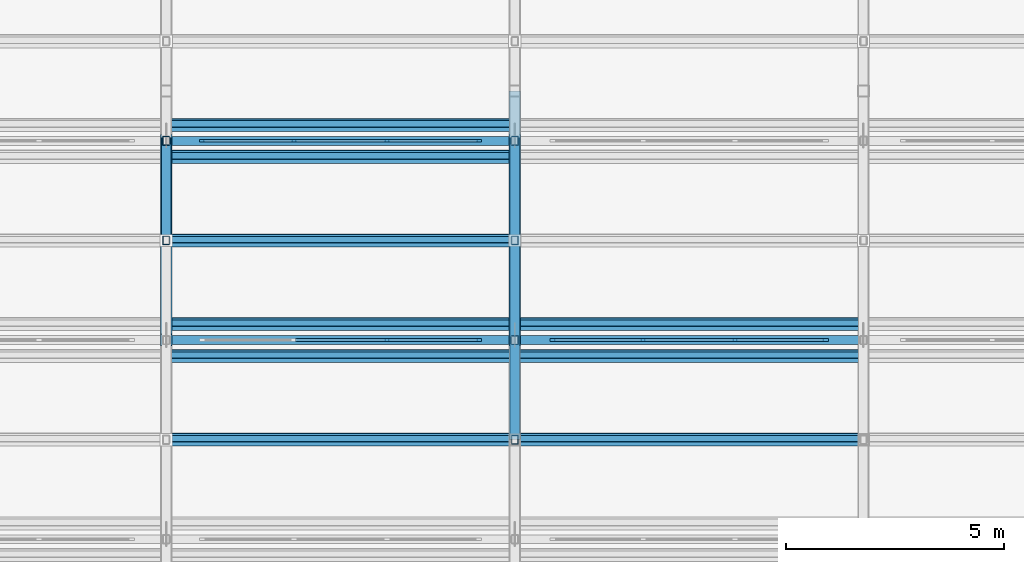
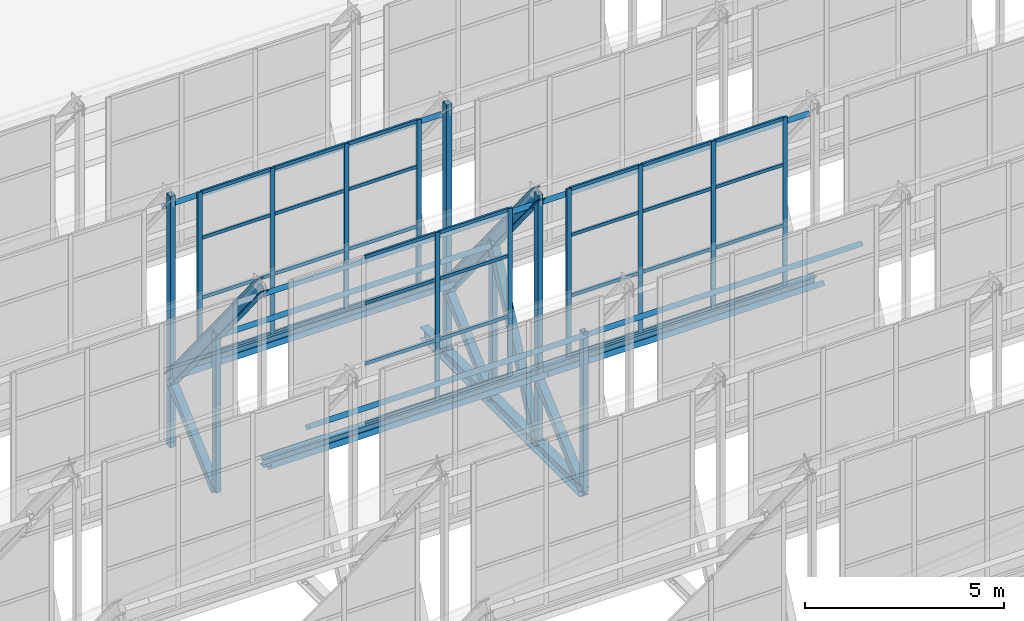
# One storey, part 16 of 34: 63 members, 4 beams, 3 elements without a shape of their own.
"""IFC4 building model written with IfcOpenShell, lengths in metres."""

from ifc_helpers import new_model, si_unit, direction, frame, origin, origin_2d, place, context, subcontext, project, spatial, rectangle, hollow_rectangle, i_section, extrude, material, layer, layer_set, material_profile, profile_set, type_object, element, aggregate, save


model = new_model("IFC4")

# Units and contexts
model_context = context("Model", 3, precision=1e-05, world=origin(), true_north=direction((0.0, 1.0)))
body_context = subcontext(model_context, "Body", "Model", "MODEL_VIEW")
ifc_project = project(units=[si_unit("LENGTHUNIT", "METRE"), si_unit("AREAUNIT", "SQUARE_METRE"), si_unit("VOLUMEUNIT", "CUBIC_METRE"), si_unit("PLANEANGLEUNIT", "RADIAN"), si_unit("MASSUNIT", "GRAM", prefix="KILO")], contexts=[model_context])

# Site, building, storey
site_placement = place(None, origin())
site = spatial("IfcSite", under=ifc_project, at=site_placement, CompositionType="ELEMENT")
building_placement = place(site_placement, origin())
building = spatial("IfcBuilding", under=site, at=building_placement, Name="Qorikala Patio Media Centre", CompositionType="ELEMENT")
storey_placement = place(building_placement, frame((0.0, 0.0, 32.699951171875)))
storey = spatial("IfcBuildingStorey", under=building, at=storey_placement, Name="RF", CompositionType="ELEMENT", Elevation=32.699951171875)

# Members
ifc_material_1 = material(Name="Steel S355", Category="steel")
ifc_material_profile_1 = material_profile(ifc_material_1, hollow_rectangle(XDim=0.219970703125, YDim=0.219970703125, WallThickness=0.010009765625, at=origin_2d()), Name="HSS220X220X10")
ifc_profile_set_1 = profile_set([ifc_material_profile_1], Name="Steel S355")
member_type_1 = type_object("IfcMemberType", Name="BRACE-HSS220", PredefinedType="BRACE", material=ifc_profile_set_1)
member_1_placement = place(storey_placement, frame((19.0, 23.5712890625, 0.35009765625), z_axis=(0.0, 0.744467225167, 0.667659007767), x_axis=(-1.0, 0.0, 0.0)))
element("IfcMember", 1, at=member_1_placement, inside=storey, type_object=member_type_1, Name="SAW-V1 Truss 3 Bay 5 Web Diagonal 2", PredefinedType="BRACE", context=body_context, shape_type="SweptSolid", body=[
    extrude(hollow_rectangle(XDim=0.219970703125, YDim=0.219970703125, WallThickness=0.010009765625, at=origin_2d()), origin(), (0.0, 0.0, 1.0), 3.070556640625),
])
member_2_placement = place(storey_placement, frame((27.0, 19.0, 0.35009765625), z_axis=(0.0, 0.744431778243, 0.667698530432), x_axis=(-1.0, 0.0, 0.0)))
element("IfcMember", 2, at=member_2_placement, inside=storey, type_object=member_type_1, Name="SAW-V1 Truss 4 Bay 4 Web Diagonal 2", PredefinedType="BRACE", context=body_context, shape_type="SweptSolid", body=[
    extrude(hollow_rectangle(XDim=0.219970703125, YDim=0.219970703125, WallThickness=0.010009765625, at=origin_2d()), origin(), (0.0, 0.0, 1.0), 3.0703125),
])
member_3_placement = place(storey_placement, frame((27.0, 21.28564453125, 0.35009765625), z_axis=(0.0, 0.424508225487, 0.905424081022), x_axis=(-1.0, 0.0, 0.0)))
element("IfcMember", 3, at=member_3_placement, inside=storey, type_object=member_type_1, Name="SAW-V1 Truss 4 Bay 5 Web Diagonal 1", PredefinedType="BRACE", context=body_context, shape_type="SweptSolid", body=[
    extrude(hollow_rectangle(XDim=0.219970703125, YDim=0.219970703125, WallThickness=0.010009765625, at=origin_2d()), origin(), (0.0, 0.0, 1.0), 5.38427734375),
])
member_4_placement = place(storey_placement, frame((27.0, 23.5712890625, 0.35009765625), z_axis=(0.0, 0.744467225167, 0.667659007767), x_axis=(-1.0, 0.0, 0.0)))
element("IfcMember", 4, at=member_4_placement, inside=storey, type_object=member_type_1, Name="SAW-V1 Truss 4 Bay 5 Web Diagonal 2", PredefinedType="BRACE", context=body_context, shape_type="SweptSolid", body=[
    extrude(hollow_rectangle(XDim=0.219970703125, YDim=0.219970703125, WallThickness=0.010009765625, at=origin_2d()), origin(), (0.0, 0.0, 1.0), 3.070556640625),
])
ifc_material_profile_2 = material_profile(ifc_material_1, i_section(OverallWidth=0.257080078125, OverallDepth=0.363037109375, WebThickness=0.012939453125, FlangeThickness=0.021728515625, at=origin_2d()), Name="W360X122")
ifc_profile_set_2 = profile_set([ifc_material_profile_2], Name="Steel S355")
member_type_2 = type_object("IfcMemberType", Name="CHORD-W360X122", PredefinedType="CHORD", material=ifc_profile_set_2)
for number, where, z_axis, x_axis, name in (
    (5, (19.0, 21.28564453125, 8.050048828125), (0.0, 0.629015570493, -0.777392701327), (-1.0, 0.0, 0.0), "SAW-V1 Truss 3 Bay 5 Sloped Top Chord"),
    (6, (27.0, 21.28564453125, 8.050048828125), (0.0, 0.629015570493, -0.777392701327), (-1.0, 0.0, 0.0), "SAW-V1 Truss 4 Bay 5 Sloped Top Chord"),
):
    element("IfcMember", number, at=place(storey_placement, frame(where, z_axis=z_axis, x_axis=x_axis)), inside=storey, type_object=member_type_2, Name=name, PredefinedType="CHORD", context=body_context, shape_type="SweptSolid", body=[
        extrude(i_section(OverallWidth=0.257080078125, OverallDepth=0.363037109375, WebThickness=0.012939453125, FlangeThickness=0.021728515625, at=origin_2d()), origin(), (0.0, 0.0, 1.0), 7.267822265625),
    ])

# Curtain wall, members
ifc_material_2 = material(Name="Bronze Anodised Aluminium and Low-E Glass", Category="aluminium")
ifc_layer_1 = layer(ifc_material_2, 0.159912109375)
ifc_layer_set_1 = layer_set([ifc_layer_1], Name="Bronze Anodised Aluminium and Low-E Glass")
curtain_wall_type_1 = type_object("IfcCurtainWallType", Name="CW-SAW-640X514", PredefinedType="USERDEFINED", material=ifc_layer_set_1)
curtain_wall_1_placement = place(storey_placement, origin())
curtain_wall_1 = element("IfcCurtainWall", 7, at=curtain_wall_1_placement, inside=storey, type_object=curtain_wall_type_1, Name="RF Sawtooth Glazing 129", ObjectType="SAWTOOTH GLAZING", PredefinedType="USERDEFINED")
ifc_material_3 = material(Name="Bronze Anodised Aluminium", Category="aluminium")
ifc_material_profile_3 = material_profile(ifc_material_3, rectangle(XDim=0.06005859375, YDim=0.1298828125, at=origin_2d()), Name="ALU MULLION 60x130")
ifc_profile_set_3 = profile_set([ifc_material_profile_3], Name="Bronze Anodised Aluminium")
member_type_3 = type_object("IfcMemberType", Name="CWM-60X130", PredefinedType="MULLION", material=ifc_profile_set_3)
member_5_placement = place(storey_placement, frame((24.066650390625, 21.28564453125, 2.75), z_axis=(0.0, 0.0, 1.0), x_axis=(0.0, 1.0, 0.0)))
member_5 = element("IfcMember", 8, at=member_5_placement, type_object=member_type_3, Name="CWS640514 mullion 3", PredefinedType="MULLION", context=body_context, shape_type="SweptSolid", body=[
    extrude(rectangle(XDim=0.06005859375, YDim=0.1298828125, at=origin_2d()), origin(), (0.0, 0.0, 1.0), 5.14013671875),
])
member_6_placement = place(storey_placement, frame((26.169921875, 21.28564453125, 2.75), z_axis=(0.0, 0.0, 1.0), x_axis=(0.0, 1.0, 0.0)))
member_6 = element("IfcMember", 9, at=member_6_placement, type_object=member_type_3, Name="CWS640514 mullion 4", PredefinedType="MULLION", context=body_context, shape_type="SweptSolid", body=[
    extrude(rectangle(XDim=0.06005859375, YDim=0.1298828125, at=origin_2d()), origin(), (0.0, 0.0, 1.0), 5.14013671875),
])

ifc_layer_2 = layer(ifc_material_2, 0.159912109375)
ifc_layer_set_2 = layer_set([ifc_layer_2], Name="Bronze Anodised Aluminium and Low-E Glass")
curtain_wall_type_2 = type_object("IfcCurtainWallType", Name="CW-SAW-632X514", PredefinedType="USERDEFINED", material=ifc_layer_set_2)
curtain_wall_2_placement = place(storey_placement, origin())
curtain_wall_2 = element("IfcCurtainWall", 10, at=curtain_wall_2_placement, inside=storey, type_object=curtain_wall_type_2, Name="RF Sawtooth Glazing 130", ObjectType="SAWTOOTH GLAZING", PredefinedType="USERDEFINED")
member_7_placement = place(storey_placement, frame((27.8701171875, 21.28564453125, 2.75), z_axis=(0.0, 0.0, 1.0), x_axis=(0.0, 1.0, 0.0)))
member_7 = element("IfcMember", 11, at=member_7_placement, type_object=member_type_3, Name="CWS632514 mullion 1", PredefinedType="MULLION", context=body_context, shape_type="SweptSolid", body=[
    extrude(rectangle(XDim=0.06005859375, YDim=0.1298828125, at=origin_2d()), origin(), (0.0, 0.0, 1.0), 5.14013671875),
])
member_8_placement = place(storey_placement, frame((29.94677734375, 21.28564453125, 2.75), z_axis=(0.0, 0.0, 1.0), x_axis=(0.0, 1.0, 0.0)))
member_8 = element("IfcMember", 12, at=member_8_placement, type_object=member_type_3, Name="CWS632514 mullion 2", PredefinedType="MULLION", context=body_context, shape_type="SweptSolid", body=[
    extrude(rectangle(XDim=0.06005859375, YDim=0.1298828125, at=origin_2d()), origin(), (0.0, 0.0, 1.0), 5.14013671875),
])
member_9_placement = place(storey_placement, frame((32.05322265625, 21.28564453125, 2.75), z_axis=(0.0, 0.0, 1.0), x_axis=(0.0, 1.0, 0.0)))
member_9 = element("IfcMember", 13, at=member_9_placement, type_object=member_type_3, Name="CWS632514 mullion 3", PredefinedType="MULLION", context=body_context, shape_type="SweptSolid", body=[
    extrude(rectangle(XDim=0.06005859375, YDim=0.1298828125, at=origin_2d()), origin(), (0.0, 0.0, 1.0), 5.14013671875),
])
member_10_placement = place(storey_placement, frame((34.1298828125, 21.28564453125, 2.75), z_axis=(0.0, 0.0, 1.0), x_axis=(0.0, 1.0, 0.0)))
member_10 = element("IfcMember", 14, at=member_10_placement, type_object=member_type_3, Name="CWS632514 mullion 4", PredefinedType="MULLION", context=body_context, shape_type="SweptSolid", body=[
    extrude(rectangle(XDim=0.06005859375, YDim=0.1298828125, at=origin_2d()), origin(), (0.0, 0.0, 1.0), 5.14013671875),
])

ifc_layer_3 = layer(ifc_material_2, 0.159912109375)
ifc_layer_set_3 = layer_set([ifc_layer_3], Name="Bronze Anodised Aluminium and Low-E Glass")
curtain_wall_type_3 = type_object("IfcCurtainWallType", Name="CW-SAW-640X508", PredefinedType="USERDEFINED", material=ifc_layer_set_3)
curtain_wall_3_placement = place(storey_placement, origin())
curtain_wall_3 = element("IfcCurtainWall", 15, at=curtain_wall_3_placement, inside=storey, type_object=curtain_wall_type_3, Name="RF Sawtooth Glazing 134", ObjectType="SAWTOOTH GLAZING", PredefinedType="USERDEFINED")
member_11_placement = place(storey_placement, frame((19.830078125, 25.857177734375, 2.75), z_axis=(0.0, 0.0, 1.0), x_axis=(0.0, 1.0, 0.0)))
member_11 = element("IfcMember", 16, at=member_11_placement, type_object=member_type_3, Name="CWS640508 mullion 1", PredefinedType="MULLION", context=body_context, shape_type="SweptSolid", body=[
    extrude(rectangle(XDim=0.06005859375, YDim=0.1298828125, at=origin_2d()), origin(), (0.0, 0.0, 1.0), 5.080078125),
])
member_12_placement = place(storey_placement, frame((21.933349609375, 25.857177734375, 2.75), z_axis=(0.0, 0.0, 1.0), x_axis=(0.0, 1.0, 0.0)))
member_12 = element("IfcMember", 17, at=member_12_placement, type_object=member_type_3, Name="CWS640508 mullion 2", PredefinedType="MULLION", context=body_context, shape_type="SweptSolid", body=[
    extrude(rectangle(XDim=0.06005859375, YDim=0.1298828125, at=origin_2d()), origin(), (0.0, 0.0, 1.0), 5.080078125),
])
member_13_placement = place(storey_placement, frame((24.066650390625, 25.857177734375, 2.75), z_axis=(0.0, 0.0, 1.0), x_axis=(0.0, 1.0, 0.0)))
member_13 = element("IfcMember", 18, at=member_13_placement, type_object=member_type_3, Name="CWS640508 mullion 3", PredefinedType="MULLION", context=body_context, shape_type="SweptSolid", body=[
    extrude(rectangle(XDim=0.06005859375, YDim=0.1298828125, at=origin_2d()), origin(), (0.0, 0.0, 1.0), 5.080078125),
])
member_14_placement = place(storey_placement, frame((26.169921875, 25.857177734375, 2.75), z_axis=(0.0, 0.0, 1.0), x_axis=(0.0, 1.0, 0.0)))
member_14 = element("IfcMember", 19, at=member_14_placement, type_object=member_type_3, Name="CWS640508 mullion 4", PredefinedType="MULLION", context=body_context, shape_type="SweptSolid", body=[
    extrude(rectangle(XDim=0.06005859375, YDim=0.1298828125, at=origin_2d()), origin(), (0.0, 0.0, 1.0), 5.080078125),
])

# Member
ifc_material_profile_4 = material_profile(ifc_material_3, rectangle(XDim=0.06005859375, YDim=0.10009765625, at=origin_2d()), Name="ALU TRANSOM 60x100")
ifc_profile_set_4 = profile_set([ifc_material_profile_4], Name="Bronze Anodised Aluminium")
member_type_4 = type_object("IfcMemberType", Name="CWT-60X100", PredefinedType="USERDEFINED", material=ifc_profile_set_4)
member_15_placement = place(storey_placement, frame((21.96337890625, 21.28564453125, 2.780029296875), z_axis=(1.0, 0.0, 0.0), x_axis=(0.0, 1.0, 0.0)))
member_15 = element("IfcMember", 20, at=member_15_placement, type_object=member_type_4, Name="CWS640514 transom 2.1", ObjectType="TRANSOM", PredefinedType="USERDEFINED", context=body_context, shape_type="SweptSolid", body=[
    extrude(rectangle(XDim=0.06005859375, YDim=0.10009765625, at=origin_2d()), origin(), (0.0, 0.0, 1.0), 2.0732421875),
])

member_16_placement = place(storey_placement, frame((21.96337890625, 21.28564453125, 4.600341796875), z_axis=(1.0, 0.0, 0.0), x_axis=(0.0, 1.0, 0.0)))
member_16 = element("IfcMember", 21, at=member_16_placement, type_object=member_type_4, Name="CWS640514 transom 2.2", ObjectType="TRANSOM", PredefinedType="USERDEFINED", context=body_context, shape_type="SweptSolid", body=[
    extrude(rectangle(XDim=0.06005859375, YDim=0.10009765625, at=origin_2d()), origin(), (0.0, 0.0, 1.0), 2.0732421875),
])

member_17_placement = place(storey_placement, frame((21.96337890625, 21.28564453125, 6.450927734375), z_axis=(1.0, 0.0, 0.0), x_axis=(0.0, 1.0, 0.0)))
member_17 = element("IfcMember", 22, at=member_17_placement, type_object=member_type_4, Name="CWS640514 transom 2.3", ObjectType="TRANSOM", PredefinedType="USERDEFINED", context=body_context, shape_type="SweptSolid", body=[
    extrude(rectangle(XDim=0.06005859375, YDim=0.10009765625, at=origin_2d()), origin(), (0.0, 0.0, 1.0), 2.0732421875),
])

member_18_placement = place(storey_placement, frame((21.96337890625, 21.28564453125, 7.860107421875), z_axis=(1.0, 0.0, 0.0), x_axis=(0.0, 1.0, 0.0)))
member_18 = element("IfcMember", 23, at=member_18_placement, type_object=member_type_4, Name="CWS640514 transom 2.4", ObjectType="TRANSOM", PredefinedType="USERDEFINED", context=body_context, shape_type="SweptSolid", body=[
    extrude(rectangle(XDim=0.06005859375, YDim=0.10009765625, at=origin_2d()), origin(), (0.0, 0.0, 1.0), 2.0732421875),
])

member_19_placement = place(storey_placement, frame((24.0966796875, 21.28564453125, 2.780029296875), z_axis=(1.0, 0.0, 0.0), x_axis=(0.0, 1.0, 0.0)))
member_19 = element("IfcMember", 24, at=member_19_placement, type_object=member_type_4, Name="CWS640514 transom 3.1", ObjectType="TRANSOM", PredefinedType="USERDEFINED", context=body_context, shape_type="SweptSolid", body=[
    extrude(rectangle(XDim=0.06005859375, YDim=0.10009765625, at=origin_2d()), origin(), (0.0, 0.0, 1.0), 2.043212890625),
])

member_20_placement = place(storey_placement, frame((24.0966796875, 21.28564453125, 4.600341796875), z_axis=(1.0, 0.0, 0.0), x_axis=(0.0, 1.0, 0.0)))
member_20 = element("IfcMember", 25, at=member_20_placement, type_object=member_type_4, Name="CWS640514 transom 3.2", ObjectType="TRANSOM", PredefinedType="USERDEFINED", context=body_context, shape_type="SweptSolid", body=[
    extrude(rectangle(XDim=0.06005859375, YDim=0.10009765625, at=origin_2d()), origin(), (0.0, 0.0, 1.0), 2.043212890625),
])

member_21_placement = place(storey_placement, frame((24.0966796875, 21.28564453125, 6.450927734375), z_axis=(1.0, 0.0, 0.0), x_axis=(0.0, 1.0, 0.0)))
member_21 = element("IfcMember", 26, at=member_21_placement, type_object=member_type_4, Name="CWS640514 transom 3.3", ObjectType="TRANSOM", PredefinedType="USERDEFINED", context=body_context, shape_type="SweptSolid", body=[
    extrude(rectangle(XDim=0.06005859375, YDim=0.10009765625, at=origin_2d()), origin(), (0.0, 0.0, 1.0), 2.043212890625),
])

member_22_placement = place(storey_placement, frame((24.0966796875, 21.28564453125, 7.860107421875), z_axis=(1.0, 0.0, 0.0), x_axis=(0.0, 1.0, 0.0)))
member_22 = element("IfcMember", 27, at=member_22_placement, type_object=member_type_4, Name="CWS640514 transom 3.4", ObjectType="TRANSOM", PredefinedType="USERDEFINED", context=body_context, shape_type="SweptSolid", body=[
    extrude(rectangle(XDim=0.06005859375, YDim=0.10009765625, at=origin_2d()), origin(), (0.0, 0.0, 1.0), 2.043212890625),
])

aggregate(curtain_wall_1, [member_5, member_6, member_15, member_16, member_17, member_18, member_19, member_20, member_21, member_22])

member_23_placement = place(storey_placement, frame((27.89990234375, 21.28564453125, 2.780029296875), z_axis=(1.0, 0.0, 0.0), x_axis=(0.0, 1.0, 0.0)))
member_23 = element("IfcMember", 28, at=member_23_placement, type_object=member_type_4, Name="CWS632514 transom 1.1", ObjectType="TRANSOM", PredefinedType="USERDEFINED", context=body_context, shape_type="SweptSolid", body=[
    extrude(rectangle(XDim=0.06005859375, YDim=0.10009765625, at=origin_2d()), origin(), (0.0, 0.0, 1.0), 2.016845703125),
])

member_24_placement = place(storey_placement, frame((27.89990234375, 21.28564453125, 4.600341796875), z_axis=(1.0, 0.0, 0.0), x_axis=(0.0, 1.0, 0.0)))
member_24 = element("IfcMember", 29, at=member_24_placement, type_object=member_type_4, Name="CWS632514 transom 1.2", ObjectType="TRANSOM", PredefinedType="USERDEFINED", context=body_context, shape_type="SweptSolid", body=[
    extrude(rectangle(XDim=0.06005859375, YDim=0.10009765625, at=origin_2d()), origin(), (0.0, 0.0, 1.0), 2.016845703125),
])

member_25_placement = place(storey_placement, frame((27.89990234375, 21.28564453125, 6.450927734375), z_axis=(1.0, 0.0, 0.0), x_axis=(0.0, 1.0, 0.0)))
member_25 = element("IfcMember", 30, at=member_25_placement, type_object=member_type_4, Name="CWS632514 transom 1.3", ObjectType="TRANSOM", PredefinedType="USERDEFINED", context=body_context, shape_type="SweptSolid", body=[
    extrude(rectangle(XDim=0.06005859375, YDim=0.10009765625, at=origin_2d()), origin(), (0.0, 0.0, 1.0), 2.016845703125),
])

member_26_placement = place(storey_placement, frame((27.89990234375, 21.28564453125, 7.860107421875), z_axis=(1.0, 0.0, 0.0), x_axis=(0.0, 1.0, 0.0)))
member_26 = element("IfcMember", 31, at=member_26_placement, type_object=member_type_4, Name="CWS632514 transom 1.4", ObjectType="TRANSOM", PredefinedType="USERDEFINED", context=body_context, shape_type="SweptSolid", body=[
    extrude(rectangle(XDim=0.06005859375, YDim=0.10009765625, at=origin_2d()), origin(), (0.0, 0.0, 1.0), 2.016845703125),
])

member_27_placement = place(storey_placement, frame((29.9765625, 21.28564453125, 2.780029296875), z_axis=(1.0, 0.0, 0.0), x_axis=(0.0, 1.0, 0.0)))
member_27 = element("IfcMember", 32, at=member_27_placement, type_object=member_type_4, Name="CWS632514 transom 2.1", ObjectType="TRANSOM", PredefinedType="USERDEFINED", context=body_context, shape_type="SweptSolid", body=[
    extrude(rectangle(XDim=0.06005859375, YDim=0.10009765625, at=origin_2d()), origin(), (0.0, 0.0, 1.0), 2.046875),
])

member_28_placement = place(storey_placement, frame((29.9765625, 21.28564453125, 4.600341796875), z_axis=(1.0, 0.0, 0.0), x_axis=(0.0, 1.0, 0.0)))
member_28 = element("IfcMember", 33, at=member_28_placement, type_object=member_type_4, Name="CWS632514 transom 2.2", ObjectType="TRANSOM", PredefinedType="USERDEFINED", context=body_context, shape_type="SweptSolid", body=[
    extrude(rectangle(XDim=0.06005859375, YDim=0.10009765625, at=origin_2d()), origin(), (0.0, 0.0, 1.0), 2.046875),
])

member_29_placement = place(storey_placement, frame((29.9765625, 21.28564453125, 6.450927734375), z_axis=(1.0, 0.0, 0.0), x_axis=(0.0, 1.0, 0.0)))
member_29 = element("IfcMember", 34, at=member_29_placement, type_object=member_type_4, Name="CWS632514 transom 2.3", ObjectType="TRANSOM", PredefinedType="USERDEFINED", context=body_context, shape_type="SweptSolid", body=[
    extrude(rectangle(XDim=0.06005859375, YDim=0.10009765625, at=origin_2d()), origin(), (0.0, 0.0, 1.0), 2.046875),
])

member_30_placement = place(storey_placement, frame((29.9765625, 21.28564453125, 7.860107421875), z_axis=(1.0, 0.0, 0.0), x_axis=(0.0, 1.0, 0.0)))
member_30 = element("IfcMember", 35, at=member_30_placement, type_object=member_type_4, Name="CWS632514 transom 2.4", ObjectType="TRANSOM", PredefinedType="USERDEFINED", context=body_context, shape_type="SweptSolid", body=[
    extrude(rectangle(XDim=0.06005859375, YDim=0.10009765625, at=origin_2d()), origin(), (0.0, 0.0, 1.0), 2.046875),
])

member_31_placement = place(storey_placement, frame((32.083251953125, 21.28564453125, 2.780029296875), z_axis=(1.0, 0.0, 0.0), x_axis=(0.0, 1.0, 0.0)))
member_31 = element("IfcMember", 36, at=member_31_placement, type_object=member_type_4, Name="CWS632514 transom 3.1", ObjectType="TRANSOM", PredefinedType="USERDEFINED", context=body_context, shape_type="SweptSolid", body=[
    extrude(rectangle(XDim=0.06005859375, YDim=0.10009765625, at=origin_2d()), origin(), (0.0, 0.0, 1.0), 2.016845703125),
])

member_32_placement = place(storey_placement, frame((32.083251953125, 21.28564453125, 4.600341796875), z_axis=(1.0, 0.0, 0.0), x_axis=(0.0, 1.0, 0.0)))
member_32 = element("IfcMember", 37, at=member_32_placement, type_object=member_type_4, Name="CWS632514 transom 3.2", ObjectType="TRANSOM", PredefinedType="USERDEFINED", context=body_context, shape_type="SweptSolid", body=[
    extrude(rectangle(XDim=0.06005859375, YDim=0.10009765625, at=origin_2d()), origin(), (0.0, 0.0, 1.0), 2.016845703125),
])

member_33_placement = place(storey_placement, frame((32.083251953125, 21.28564453125, 6.450927734375), z_axis=(1.0, 0.0, 0.0), x_axis=(0.0, 1.0, 0.0)))
member_33 = element("IfcMember", 38, at=member_33_placement, type_object=member_type_4, Name="CWS632514 transom 3.3", ObjectType="TRANSOM", PredefinedType="USERDEFINED", context=body_context, shape_type="SweptSolid", body=[
    extrude(rectangle(XDim=0.06005859375, YDim=0.10009765625, at=origin_2d()), origin(), (0.0, 0.0, 1.0), 2.016845703125),
])

member_34_placement = place(storey_placement, frame((32.083251953125, 21.28564453125, 7.860107421875), z_axis=(1.0, 0.0, 0.0), x_axis=(0.0, 1.0, 0.0)))
member_34 = element("IfcMember", 39, at=member_34_placement, type_object=member_type_4, Name="CWS632514 transom 3.4", ObjectType="TRANSOM", PredefinedType="USERDEFINED", context=body_context, shape_type="SweptSolid", body=[
    extrude(rectangle(XDim=0.06005859375, YDim=0.10009765625, at=origin_2d()), origin(), (0.0, 0.0, 1.0), 2.016845703125),
])

aggregate(curtain_wall_2, [member_7, member_8, member_9, member_10, member_23, member_24, member_25, member_26, member_27, member_28, member_29, member_30, member_31, member_32, member_33, member_34])

member_35_placement = place(storey_placement, frame((19.860107421875, 25.857177734375, 2.780029296875), z_axis=(1.0, 0.0, 0.0), x_axis=(0.0, 1.0, 0.0)))
member_35 = element("IfcMember", 40, at=member_35_placement, type_object=member_type_4, Name="CWS640508 transom 1.1", ObjectType="TRANSOM", PredefinedType="USERDEFINED", context=body_context, shape_type="SweptSolid", body=[
    extrude(rectangle(XDim=0.06005859375, YDim=0.10009765625, at=origin_2d()), origin(), (0.0, 0.0, 1.0), 2.043212890625),
])

member_36_placement = place(storey_placement, frame((19.860107421875, 25.857177734375, 4.578857421875), z_axis=(1.0, 0.0, 0.0), x_axis=(0.0, 1.0, 0.0)))
member_36 = element("IfcMember", 41, at=member_36_placement, type_object=member_type_4, Name="CWS640508 transom 1.2", ObjectType="TRANSOM", PredefinedType="USERDEFINED", context=body_context, shape_type="SweptSolid", body=[
    extrude(rectangle(XDim=0.06005859375, YDim=0.10009765625, at=origin_2d()), origin(), (0.0, 0.0, 1.0), 2.043212890625),
])

member_37_placement = place(storey_placement, frame((19.860107421875, 25.857177734375, 6.40771484375), z_axis=(1.0, 0.0, 0.0), x_axis=(0.0, 1.0, 0.0)))
member_37 = element("IfcMember", 42, at=member_37_placement, type_object=member_type_4, Name="CWS640508 transom 1.3", ObjectType="TRANSOM", PredefinedType="USERDEFINED", context=body_context, shape_type="SweptSolid", body=[
    extrude(rectangle(XDim=0.06005859375, YDim=0.10009765625, at=origin_2d()), origin(), (0.0, 0.0, 1.0), 2.043212890625),
])

member_38_placement = place(storey_placement, frame((19.860107421875, 25.857177734375, 7.800048828125), z_axis=(1.0, 0.0, 0.0), x_axis=(0.0, 1.0, 0.0)))
member_38 = element("IfcMember", 43, at=member_38_placement, type_object=member_type_4, Name="CWS640508 transom 1.4", ObjectType="TRANSOM", PredefinedType="USERDEFINED", context=body_context, shape_type="SweptSolid", body=[
    extrude(rectangle(XDim=0.06005859375, YDim=0.10009765625, at=origin_2d()), origin(), (0.0, 0.0, 1.0), 2.043212890625),
])

member_39_placement = place(storey_placement, frame((21.96337890625, 25.857177734375, 2.780029296875), z_axis=(1.0, 0.0, 0.0), x_axis=(0.0, 1.0, 0.0)))
member_39 = element("IfcMember", 44, at=member_39_placement, type_object=member_type_4, Name="CWS640508 transom 2.1", ObjectType="TRANSOM", PredefinedType="USERDEFINED", context=body_context, shape_type="SweptSolid", body=[
    extrude(rectangle(XDim=0.06005859375, YDim=0.10009765625, at=origin_2d()), origin(), (0.0, 0.0, 1.0), 2.0732421875),
])

member_40_placement = place(storey_placement, frame((21.96337890625, 25.857177734375, 4.578857421875), z_axis=(1.0, 0.0, 0.0), x_axis=(0.0, 1.0, 0.0)))
member_40 = element("IfcMember", 45, at=member_40_placement, type_object=member_type_4, Name="CWS640508 transom 2.2", ObjectType="TRANSOM", PredefinedType="USERDEFINED", context=body_context, shape_type="SweptSolid", body=[
    extrude(rectangle(XDim=0.06005859375, YDim=0.10009765625, at=origin_2d()), origin(), (0.0, 0.0, 1.0), 2.0732421875),
])

member_41_placement = place(storey_placement, frame((21.96337890625, 25.857177734375, 6.40771484375), z_axis=(1.0, 0.0, 0.0), x_axis=(0.0, 1.0, 0.0)))
member_41 = element("IfcMember", 46, at=member_41_placement, type_object=member_type_4, Name="CWS640508 transom 2.3", ObjectType="TRANSOM", PredefinedType="USERDEFINED", context=body_context, shape_type="SweptSolid", body=[
    extrude(rectangle(XDim=0.06005859375, YDim=0.10009765625, at=origin_2d()), origin(), (0.0, 0.0, 1.0), 2.0732421875),
])

member_42_placement = place(storey_placement, frame((21.96337890625, 25.857177734375, 7.800048828125), z_axis=(1.0, 0.0, 0.0), x_axis=(0.0, 1.0, 0.0)))
member_42 = element("IfcMember", 47, at=member_42_placement, type_object=member_type_4, Name="CWS640508 transom 2.4", ObjectType="TRANSOM", PredefinedType="USERDEFINED", context=body_context, shape_type="SweptSolid", body=[
    extrude(rectangle(XDim=0.06005859375, YDim=0.10009765625, at=origin_2d()), origin(), (0.0, 0.0, 1.0), 2.0732421875),
])

member_43_placement = place(storey_placement, frame((24.0966796875, 25.857177734375, 2.780029296875), z_axis=(1.0, 0.0, 0.0), x_axis=(0.0, 1.0, 0.0)))
member_43 = element("IfcMember", 48, at=member_43_placement, type_object=member_type_4, Name="CWS640508 transom 3.1", ObjectType="TRANSOM", PredefinedType="USERDEFINED", context=body_context, shape_type="SweptSolid", body=[
    extrude(rectangle(XDim=0.06005859375, YDim=0.10009765625, at=origin_2d()), origin(), (0.0, 0.0, 1.0), 2.043212890625),
])

member_44_placement = place(storey_placement, frame((24.0966796875, 25.857177734375, 4.578857421875), z_axis=(1.0, 0.0, 0.0), x_axis=(0.0, 1.0, 0.0)))
member_44 = element("IfcMember", 49, at=member_44_placement, type_object=member_type_4, Name="CWS640508 transom 3.2", ObjectType="TRANSOM", PredefinedType="USERDEFINED", context=body_context, shape_type="SweptSolid", body=[
    extrude(rectangle(XDim=0.06005859375, YDim=0.10009765625, at=origin_2d()), origin(), (0.0, 0.0, 1.0), 2.043212890625),
])

member_45_placement = place(storey_placement, frame((24.0966796875, 25.857177734375, 6.40771484375), z_axis=(1.0, 0.0, 0.0), x_axis=(0.0, 1.0, 0.0)))
member_45 = element("IfcMember", 50, at=member_45_placement, type_object=member_type_4, Name="CWS640508 transom 3.3", ObjectType="TRANSOM", PredefinedType="USERDEFINED", context=body_context, shape_type="SweptSolid", body=[
    extrude(rectangle(XDim=0.06005859375, YDim=0.10009765625, at=origin_2d()), origin(), (0.0, 0.0, 1.0), 2.043212890625),
])

member_46_placement = place(storey_placement, frame((24.0966796875, 25.857177734375, 7.800048828125), z_axis=(1.0, 0.0, 0.0), x_axis=(0.0, 1.0, 0.0)))
member_46 = element("IfcMember", 51, at=member_46_placement, type_object=member_type_4, Name="CWS640508 transom 3.4", ObjectType="TRANSOM", PredefinedType="USERDEFINED", context=body_context, shape_type="SweptSolid", body=[
    extrude(rectangle(XDim=0.06005859375, YDim=0.10009765625, at=origin_2d()), origin(), (0.0, 0.0, 1.0), 2.043212890625),
])

aggregate(curtain_wall_3, [member_11, member_12, member_13, member_14, member_35, member_36, member_37, member_38, member_39, member_40, member_41, member_42, member_43, member_44, member_45, member_46])

# Members
ifc_material_profile_5 = material_profile(ifc_material_1, i_section(OverallWidth=0.14794921875, OverallDepth=0.26611328125, WebThickness=0.007568359375, FlangeThickness=0.012939453125, at=origin_2d()), Name="W250X45")
ifc_profile_set_5 = profile_set([ifc_material_profile_5], Name="Steel S355")
member_type_5 = type_object("IfcMemberType", Name="PURLIN-W250X45", PredefinedType="PURLIN", material=ifc_profile_set_5)
for number, where, z_axis, x_axis, name in (
    (52, (19.0, 19.0, 5.077392578125), (1.0, 0.0, 0.0), (0.0, 0.62899480571, 0.777409502379), "SAW-V1 Bay 4 Roof Purlin"),
    (53, (27.0, 19.0, 5.077392578125), (1.0, 0.0, 0.0), (0.0, 0.62899480571, 0.777409502379), "SAW-V1 Bay 4 Roof Purlin"),
    (54, (19.0, 20.919921875, 2.704345703125), (1.0, 0.0, 0.0), (0.0, 0.62899480571, 0.777409502379), "SAW-V1 Bay 4 Roof Purlin"),
    (55, (27.0, 20.919921875, 2.704345703125), (1.0, 0.0, 0.0), (0.0, 0.62899480571, 0.777409502379), "SAW-V1 Bay 4 Roof Purlin"),
    (56, (19.0, 21.6513671875, 7.450439453125), (1.0, 0.0, 0.0), (0.0, 0.62899480571, 0.777409502379), "SAW-V1 Bay 5 Roof Purlin"),
    (57, (27.0, 21.6513671875, 7.450439453125), (1.0, 0.0, 0.0), (0.0, 0.62899480571, 0.777409502379), "SAW-V1 Bay 5 Roof Purlin"),
    (58, (19.0, 23.5712890625, 5.077392578125), (1.0, 0.0, 0.0), (0.0, 0.62899480571, 0.777409502379), "SAW-V1 Bay 5 Roof Purlin"),
    (59, (19.0, 25.491455078125, 2.704345703125), (1.0, 0.0, 0.0), (0.0, 0.62899480571, 0.777409502379), "SAW-V1 Bay 5 Roof Purlin"),
    (60, (19.0, 26.222900390625, 7.450439453125), (1.0, 0.0, 0.0), (0.0, 0.62899480571, 0.777409502379), "SAW-V1 Bay 6 Roof Purlin"),
):
    element("IfcMember", number, at=place(storey_placement, frame(where, z_axis=z_axis, x_axis=x_axis)), inside=storey, type_object=member_type_5, Name=name, PredefinedType="PURLIN", context=body_context, shape_type="SweptSolid", body=[
        extrude(i_section(OverallWidth=0.14794921875, OverallDepth=0.26611328125, WebThickness=0.007568359375, FlangeThickness=0.012939453125, at=origin_2d()), origin(), (0.0, 0.0, 1.0), 8.0),
    ])

# Beams
ifc_material_profile_6 = material_profile(ifc_material_1, i_section(OverallWidth=0.202880859375, OverallDepth=0.251953125, WebThickness=0.008056640625, FlangeThickness=0.013427734375, at=origin_2d()), Name="W250X58")
ifc_profile_set_6 = profile_set([ifc_material_profile_6], Name="Steel S355")
beam_type_1 = type_object("IfcBeamType", Name="SBM-W250X58", PredefinedType="BEAM", material=ifc_profile_set_6)
for number, where, z_axis, x_axis, name in (
    (61, (19.0, 21.28564453125, 2.625), (1.0, 0.0, 0.0), (0.0, 1.0, 0.0), "Sawtooth V1 Clerestory Sill Beam 5.3"),
    (62, (27.0, 21.28564453125, 2.625), (1.0, 0.0, 0.0), (0.0, 1.0, 0.0), "Sawtooth V1 Clerestory Sill Beam 5.4"),
    (63, (19.0, 25.857177734375, 2.625), (1.0, 0.0, 0.0), (0.0, 1.0, 0.0), "Sawtooth V1 Clerestory Sill Beam 6.3"),
):
    element("IfcBeam", number, at=place(storey_placement, frame(where, z_axis=z_axis, x_axis=x_axis)), inside=storey, type_object=beam_type_1, Name=name, PredefinedType="BEAM", context=body_context, shape_type="SweptSolid", body=[
        extrude(i_section(OverallWidth=0.202880859375, OverallDepth=0.251953125, WebThickness=0.008056640625, FlangeThickness=0.013427734375, at=origin_2d()), origin(), (0.0, 0.0, 1.0), 8.0),
    ])
ifc_material_profile_7 = material_profile(ifc_material_1, i_section(OverallWidth=0.257080078125, OverallDepth=0.363037109375, WebThickness=0.012939453125, FlangeThickness=0.021728515625, at=origin_2d()), Name="W360X122")
ifc_profile_set_7 = profile_set([ifc_material_profile_7], Name="Steel S355")
beam_type_2 = type_object("IfcBeamType", Name="SBM-W360X122", PredefinedType="BEAM", material=ifc_profile_set_7)
beam_placement = place(storey_placement, frame((27.0, 19.0, 0.35009765625), z_axis=(0.0, 1.0, 0.0), x_axis=(-1.0, 0.0, 0.0)))
element("IfcBeam", 64, at=beam_placement, inside=storey, type_object=beam_type_2, Name="SAW-V1 Longitudinal Truss Tie Girder X=27", PredefinedType="BEAM", context=body_context, shape_type="SweptSolid", body=[
    extrude(i_section(OverallWidth=0.257080078125, OverallDepth=0.363037109375, WebThickness=0.012939453125, FlangeThickness=0.021728515625, at=origin_2d()), origin(), (0.0, 0.0, 1.0), 8.0),
])

# Members
ifc_material_profile_8 = material_profile(ifc_material_1, hollow_rectangle(XDim=0.14990234375, YDim=0.199951171875, WallThickness=0.008056640625, at=origin_2d()), Name="HSS200X150X8")
ifc_profile_set_8 = profile_set([ifc_material_profile_8], Name="Steel S355")
member_type_6 = type_object("IfcMemberType", Name="STRUT-HSS200", PredefinedType="STRUT", material=ifc_profile_set_8)
member_47_placement = place(storey_placement, frame((19.0, 23.5712890625, 0.35009765625), z_axis=(0.0, 0.0, 1.0), x_axis=(1.0, 0.0, 0.0)))
element("IfcMember", 65, at=member_47_placement, inside=storey, type_object=member_type_6, Name="SAW-V1 Truss 3 Bay 5 Mid Strut", PredefinedType="STRUT", context=body_context, shape_type="SweptSolid", body=[
    extrude(hollow_rectangle(XDim=0.14990234375, YDim=0.199951171875, WallThickness=0.008056640625, at=origin_2d()), origin(), (0.0, 0.0, 1.0), 4.875),
])
member_48_placement = place(storey_placement, frame((19.0, 25.857177734375, 0.35009765625), z_axis=(0.0, 0.0, 1.0), x_axis=(1.0, 0.0, 0.0)))
element("IfcMember", 66, at=member_48_placement, inside=storey, type_object=member_type_6, Name="SAW-V1 Truss 3 Bay 6 Clerestory Post", PredefinedType="STRUT", context=body_context, shape_type="SweptSolid", body=[
    extrude(hollow_rectangle(XDim=0.14990234375, YDim=0.199951171875, WallThickness=0.008056640625, at=origin_2d()), origin(), (0.0, 0.0, 1.0), 7.699951171875),
])
member_49_placement = place(storey_placement, frame((27.0, 19.0, 0.35009765625), z_axis=(0.0, 0.0, 1.0), x_axis=(1.0, 0.0, 0.0)))
element("IfcMember", 67, at=member_49_placement, inside=storey, type_object=member_type_6, Name="SAW-V1 Truss 4 Bay 4 Mid Strut", PredefinedType="STRUT", context=body_context, shape_type="SweptSolid", body=[
    extrude(hollow_rectangle(XDim=0.14990234375, YDim=0.199951171875, WallThickness=0.008056640625, at=origin_2d()), origin(), (0.0, 0.0, 1.0), 4.875),
])
member_50_placement = place(storey_placement, frame((27.0, 21.28564453125, 0.35009765625), z_axis=(0.0, 0.0, 1.0), x_axis=(1.0, 0.0, 0.0)))
element("IfcMember", 68, at=member_50_placement, inside=storey, type_object=member_type_6, Name="SAW-V1 Truss 4 Bay 5 Clerestory Post", PredefinedType="STRUT", context=body_context, shape_type="SweptSolid", body=[
    extrude(hollow_rectangle(XDim=0.14990234375, YDim=0.199951171875, WallThickness=0.008056640625, at=origin_2d()), origin(), (0.0, 0.0, 1.0), 7.699951171875),
])
member_51_placement = place(storey_placement, frame((27.0, 23.5712890625, 0.35009765625), z_axis=(0.0, 0.0, 1.0), x_axis=(1.0, 0.0, 0.0)))
element("IfcMember", 69, at=member_51_placement, inside=storey, type_object=member_type_6, Name="SAW-V1 Truss 4 Bay 5 Mid Strut", PredefinedType="STRUT", context=body_context, shape_type="SweptSolid", body=[
    extrude(hollow_rectangle(XDim=0.14990234375, YDim=0.199951171875, WallThickness=0.008056640625, at=origin_2d()), origin(), (0.0, 0.0, 1.0), 4.875),
])
member_52_placement = place(storey_placement, frame((27.0, 25.857177734375, 0.35009765625), z_axis=(0.0, 0.0, 1.0), x_axis=(1.0, 0.0, 0.0)))
element("IfcMember", 70, at=member_52_placement, inside=storey, type_object=member_type_6, Name="SAW-V1 Truss 4 Bay 6 Clerestory Post", PredefinedType="STRUT", context=body_context, shape_type="SweptSolid", body=[
    extrude(hollow_rectangle(XDim=0.14990234375, YDim=0.199951171875, WallThickness=0.008056640625, at=origin_2d()), origin(), (0.0, 0.0, 1.0), 7.699951171875),
])

save(model, "model.ifc")
